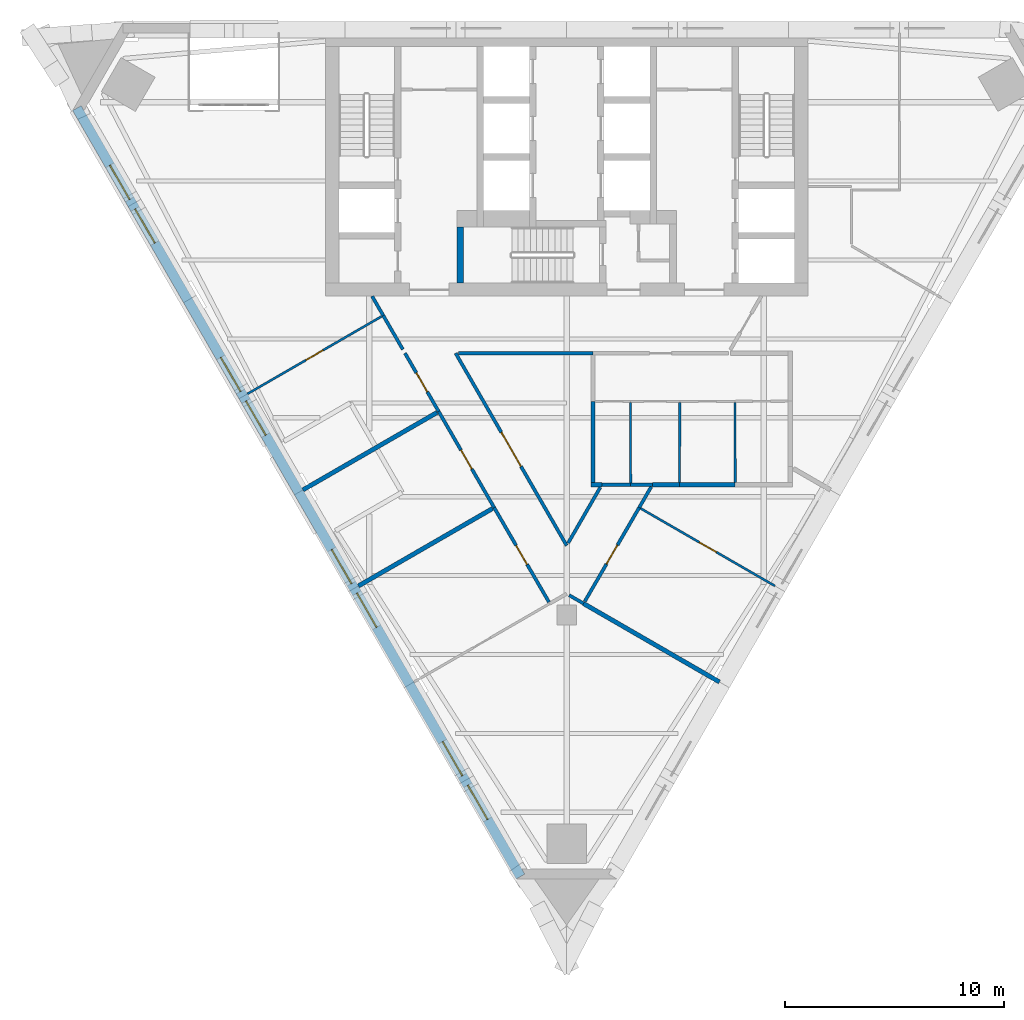
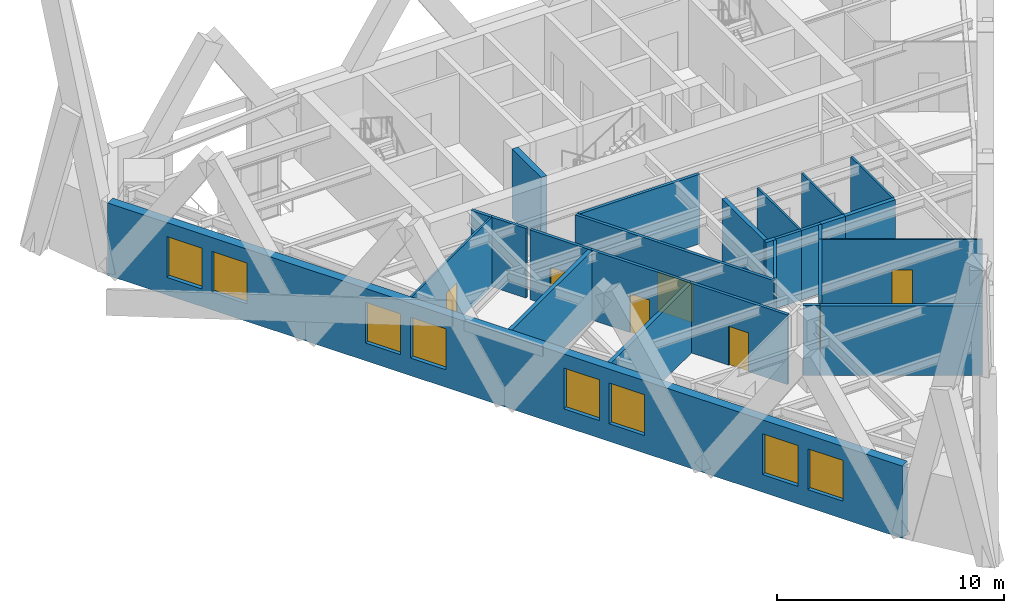
# One storey, part 4 of 9: 27 walls, 8 windows, 7 doors, 15 openings.
"""IFC4 building model written with IfcOpenShell, lengths in metres."""

import ifcopenshell
import ifcopenshell.guid

model = None  # the IFC model being written
_history = None  # IfcOwnerHistory: only IFC2X3 demands one
_inside = {}  # id of a spatial element -> (the spatial element, [elements in it])
_under = {}  # id of a project, library or spatial element -> (it, [spatial elements below it])
_declared = {}  # id of a project -> (the project, [libraries it declares])
_typed = {}  # id of a type object -> (the type object, [elements of that type])
_made_of = {}  # id of a material, layer set ... -> (it, [elements and type objects made of it])


def new_model(schema):
    """Start an empty IFC model of exactly this schema.

    Asked for "IFC4X3", IfcOpenShell would pick the latest addendum, in which some entities
    have other attributes; the version numbers below select the first issue.
    IFC2X3 requires an IfcOwnerHistory on every rooted entity: one is made here for all.
    """
    global model, _history
    if schema == "IFC4X3":
        model = ifcopenshell.file(schema_version=(4, 3, 0, 0))
    else:
        model = ifcopenshell.file(schema=schema)
    _inside.clear()
    _under.clear()
    _declared.clear()
    _typed.clear()
    _made_of.clear()
    _history = None
    if model.schema == "IFC2X3":
        org = make("IfcOrganization", Name="unknown")
        user = make(
            "IfcPersonAndOrganization",
            ThePerson=make("IfcPerson", FamilyName="unknown"),
            TheOrganization=org,
        )
        app = make(
            "IfcApplication",
            ApplicationDeveloper=org,
            Version="unknown",
            ApplicationFullName="unknown",
            ApplicationIdentifier="unknown",
        )
        _history = make(
            "IfcOwnerHistory",
            OwningUser=user,
            OwningApplication=app,
            ChangeAction="ADDED",
            CreationDate=0,
        )
    return model


def make(cls, **values):
    """One entity of the class cls with the attributes given. An attribute that is None is left unset."""
    return model.create_entity(
        cls, **{name: value for name, value in values.items() if value is not None}
    )


def rooted(cls, **values):
    """An entity with a GlobalId (a new one), such as an element, a storey or a relation."""
    return make(cls, GlobalId=ifcopenshell.guid.new(), OwnerHistory=_history, **values)


def si_unit(unit_type, name, prefix=None):
    """IfcSIUnit, for example si_unit("LENGTHUNIT", "METRE", prefix="MILLI")."""
    return make("IfcSIUnit", UnitType=unit_type, Prefix=prefix, Name=name)


def assignment(units):
    """IfcUnitAssignment: the units of a project."""
    return None if units is None else make("IfcUnitAssignment", Units=units)


def point(xyz):
    """IfcCartesianPoint."""
    return None if xyz is None else make("IfcCartesianPoint", Coordinates=xyz)


def direction(xyz):
    """IfcDirection."""
    return None if xyz is None else make("IfcDirection", DirectionRatios=xyz)


def frame(location, z_axis=None, x_axis=None):
    """IfcAxis2Placement3D, a coordinate frame: its origin and axes. An axis left out is left unset."""
    return make(
        "IfcAxis2Placement3D",
        Location=point(location),
        Axis=direction(z_axis),
        RefDirection=direction(x_axis),
    )


def frame_2d(location, x_axis=None):
    """IfcAxis2Placement2D, a coordinate frame in the plane: its origin and x axis."""
    return make(
        "IfcAxis2Placement2D", Location=point(location), RefDirection=direction(x_axis)
    )


def origin():
    """The frame at (0, 0, 0) with its axes left unset."""
    return frame((0.0, 0.0, 0.0))


def place(relative_to, where):
    """IfcLocalPlacement: puts the frame where relative to a parent placement (None: the world)."""
    return make(
        "IfcLocalPlacement", PlacementRelTo=relative_to, RelativePlacement=where
    )


def context(
    kind, dimensions, precision=None, world=None, true_north=None, identifier=None
):
    """IfcGeometricRepresentationContext, for example the 3D "Model" context."""
    return make(
        "IfcGeometricRepresentationContext",
        ContextIdentifier=identifier,
        ContextType=kind,
        CoordinateSpaceDimension=dimensions,
        Precision=precision,
        WorldCoordinateSystem=world,
        TrueNorth=true_north,
    )


def subcontext(parent, identifier, kind, view, scale=None):
    """IfcGeometricRepresentationSubContext, for example "Body" below "Model"."""
    return make(
        "IfcGeometricRepresentationSubContext",
        ContextIdentifier=identifier,
        ContextType=kind,
        ParentContext=parent,
        TargetScale=scale,
        TargetView=view,
    )


def project(units=None, contexts=None):
    """IfcProject with its units and contexts."""
    return rooted(
        "IfcProject",
        Name="project",
        RepresentationContexts=contexts,
        UnitsInContext=assignment(units),
    )


def spatial(cls, under=None, at=None, **own):
    """A site, building, storey or space (cls), placed at a placement, below another one or the project."""
    s = rooted(cls, ObjectPlacement=at, **own)
    if under is not None:
        _under.setdefault(under.id(), (under, []))[1].append(s)
    return s


def polyline(points):
    """IfcPolyline through the points."""
    return make("IfcPolyline", Points=[point(p) for p in points])


def profile(cls, at=None, kind="AREA", **sizes):
    """A parametric profile (cls). Its sizes go by their IFC names, for example OverallWidth=200.0."""
    return make(cls, ProfileType=kind, Position=at, **sizes)


def rectangle(**sizes):
    """IfcRectangleProfileDef."""
    return profile("IfcRectangleProfileDef", **sizes)


def outline(outer, holes=None, kind="AREA"):
    """IfcArbitraryClosedProfileDef: a profile drawn as a closed curve; with holes, ...WithVoids."""
    if holes is None:
        return make("IfcArbitraryClosedProfileDef", ProfileType=kind, OuterCurve=outer)
    return make(
        "IfcArbitraryProfileDefWithVoids",
        ProfileType=kind,
        OuterCurve=outer,
        InnerCurves=holes,
    )


def extrude(swept, where, along, depth):
    """IfcExtrudedAreaSolid: the profile swept, set in the frame where, extruded along a direction by depth."""
    return make(
        "IfcExtrudedAreaSolid",
        SweptArea=swept,
        Position=where,
        ExtrudedDirection=direction(along),
        Depth=depth,
    )


def shape(context_of_items, identifier, shape_type, items):
    """IfcShapeRepresentation: the items that make up one representation, for example the "Body"."""
    return make(
        "IfcShapeRepresentation",
        ContextOfItems=context_of_items,
        RepresentationIdentifier=identifier,
        RepresentationType=shape_type,
        Items=items,
    )


def material(Name=None, Category=None):
    """IfcMaterial."""
    return make("IfcMaterial", Name=Name, Category=Category)


def layer(
    of_material, thickness, ventilated=None, Name=None, Category=None, Priority=None
):
    """IfcMaterialLayer: one layer of a wall or slab, of a material (None: an air gap)."""
    return make(
        "IfcMaterialLayer",
        Material=of_material,
        LayerThickness=thickness,
        IsVentilated=ventilated,
        Name=Name,
        Category=Category,
        Priority=Priority,
    )


def layer_set(layers, Name=None):
    """IfcMaterialLayerSet."""
    return make("IfcMaterialLayerSet", MaterialLayers=layers, LayerSetName=Name)


def made_of(thing, what):
    """Note that an element or type object is made of a material, layer set ...; save() writes the relation."""
    if what is not None:
        _made_of.setdefault(what.id(), (what, []))[1].append(thing)
    return thing


def type_object(cls, material=None, **own):
    """A type object (cls), such as IfcWallType, which elements share."""
    return made_of(rooted(cls, **own), material)


def element(
    cls,
    number,
    at=None,
    inside=None,
    cuts=None,
    type_object=None,
    material=None,
    context=None,
    identifier="Body",
    shape_type=None,
    held_by="IfcProductDefinitionShape",
    body=None,
    shapes=None,
    **own,
):
    """One element of the class cls, such as IfcWall. Its Tag is "e" and its number.

    at: its placement. inside: the storey or other place that contains it. cuts: it is an
    opening in that element (IfcRelVoidsElement). A single representation is given by context,
    identifier, shape_type and body (its items); several are given by shapes. held_by: the class
    of the entity that holds the representations. save() writes the other relations.
    """
    e = rooted(cls, Tag="e%d" % number, ObjectPlacement=at, **own)
    if body is not None:
        shapes = [shape(context, identifier, shape_type, body)]
    if shapes is not None:
        e.Representation = make(held_by, Representations=shapes)
    if inside is not None:
        _inside.setdefault(inside.id(), (inside, []))[1].append(e)
    if cuts is not None:
        rooted(
            "IfcRelVoidsElement", RelatingBuildingElement=cuts, RelatedOpeningElement=e
        )
    if type_object is not None:
        _typed.setdefault(type_object.id(), (type_object, []))[1].append(e)
    return made_of(e, material)


def fill(opening, filler):
    """IfcRelFillsElement: the door or window that sits in an opening."""
    return rooted(
        "IfcRelFillsElement",
        RelatingOpeningElement=opening,
        RelatedBuildingElement=filler,
    )


def aggregate(whole, parts):
    """IfcRelAggregates: a whole, such as a stair, and the parts it consists of."""
    return rooted("IfcRelAggregates", RelatingObject=whole, RelatedObjects=parts)


def save(model, path):
    """Write the relations noted so far, then the file.

    IfcRelAggregates (storeys below a building ...), IfcRelContainedInSpatialStructure (elements
    in a storey), IfcRelDefinesByType, IfcRelAssociatesMaterial and IfcRelDeclares: one each for
    every whole, place, type object, material and project.
    """
    for whole, parts in _under.values():
        aggregate(whole, parts)
    for where, things in _inside.values():
        rooted(
            "IfcRelContainedInSpatialStructure",
            RelatedElements=things,
            RelatingStructure=where,
        )
    for kind, things in _typed.values():
        rooted("IfcRelDefinesByType", RelatedObjects=things, RelatingType=kind)
    for what, things in _made_of.values():
        rooted("IfcRelAssociatesMaterial", RelatedObjects=things, RelatingMaterial=what)
    for by, libraries in _declared.values():
        rooted("IfcRelDeclares", RelatingContext=by, RelatedDefinitions=libraries)
    model.write(path)


model = new_model("IFC4")

# Units and contexts
model_context = context("Model", 3, precision=1e-05, world=origin(), true_north=direction((0.0, 1.0)))
body_context = subcontext(model_context, "Body", "Model", "MODEL_VIEW")
ifc_project = project(units=[si_unit("LENGTHUNIT", "METRE"), si_unit("AREAUNIT", "SQUARE_METRE"), si_unit("VOLUMEUNIT", "CUBIC_METRE"), si_unit("PLANEANGLEUNIT", "RADIAN"), si_unit("MASSUNIT", "GRAM", prefix="KILO")], contexts=[model_context])

# Site, building, storey
site_placement = place(None, origin())
site = spatial("IfcSite", under=ifc_project, at=site_placement, CompositionType="ELEMENT")
building_placement = place(site_placement, origin())
building = spatial("IfcBuilding", under=site, at=building_placement, Name="Aloe Facet Convention Tower", CompositionType="ELEMENT")
storey_placement = place(building_placement, frame((0.0, 0.0, 144.199951171875)))
storey = spatial("IfcBuildingStorey", under=building, at=storey_placement, Name="L36", CompositionType="ELEMENT", Elevation=144.199951171875)

# Wall
ifc_material_1 = material(Name="Concrete C60/75", Category="concrete")
ifc_layer_1 = layer(ifc_material_1, 0.300048828125)
ifc_layer_set_1 = layer_set([ifc_layer_1], Name="CR-W-RC300-C6075")
wall_type_1 = type_object("IfcWallType", Name="CR-W-RC300-C6075", PredefinedType="SOLIDWALL", material=ifc_layer_set_1)
wall_1_placement = place(storey_placement, frame((75.14990234375, 125.699951171875, 0.0), z_axis=(0.0, 0.0, 1.0), x_axis=(0.0, -1.0, 0.0)))
element("IfcWall", 1, at=wall_1_placement, inside=storey, type_object=wall_type_1, Name="Core wall L36-009", PredefinedType="SOLIDWALL", context=body_context, shape_type="SweptSolid", body=[
    extrude(rectangle(XDim=2.550048828125, YDim=0.300048828125, at=frame_2d((1.27490234375, 0.0))), origin(), (0.0, 0.0, 1.0), 3.75),
])

# Wall, openings, windows
ifc_material_2 = material(Name="Precast concrete C40/50", Category="concrete")
ifc_layer_2 = layer(ifc_material_2, 0.449951171875)
ifc_layer_set_2 = layer_set([ifc_layer_2], Name="EV-WALL-STONE")
wall_type_2 = type_object("IfcWallType", Name="EV-WALL-STONE", PredefinedType="SOLIDWALL", material=ifc_layer_set_2)
wall_2_placement = place(storey_placement, frame((57.65185546875, 131.128662109375, -0.14990234375), z_axis=(0.0, 0.0, 1.0), x_axis=(0.499997369791, -0.866026922331, 0.0)))
wall_2 = element("IfcWall", 2, at=wall_2_placement, inside=storey, type_object=wall_type_2, Name="EW-L36-W01", PredefinedType="SOLIDWALL", context=body_context, shape_type="SweptSolid", body=[
    extrude(outline(polyline([(40.486083984375, 0.0), (40.486083984375, 3.89990234375), (0.0, 3.89990234375), (0.0, 0.0), (40.486083984375, 0.0)])), frame((0.0, 0.22509765625, 0.0), z_axis=(0.0, -1.0, 0.0), x_axis=(1.0, 0.0, 0.0)), (0.0, 0.0, 1.0), 0.449951171875),
])
opening_1_placement = place(wall_2_placement, frame((3.0107421875, 0.0, 0.949951171875)))
opening_1 = element("IfcOpeningElement", 3, at=opening_1_placement, cuts=wall_2, Name="Opening W-L36-W01", PredefinedType="OPENING", context=body_context, shape_type="SweptSolid", body=[
    extrude(rectangle(XDim=1.800048828125, YDim=2.199951171875, at=frame_2d((0.89990234375, 1.10009765625))), frame((0.0, 0.23486328125, 0.0), z_axis=(0.0, -1.0, 0.0), x_axis=(1.0, 0.0, 0.0)), (0.0, 0.0, 1.0), 0.469970703125),
])
opening_2_placement = place(wall_2_placement, frame((5.310791015625, 0.0, 0.949951171875)))
opening_2 = element("IfcOpeningElement", 4, at=opening_2_placement, cuts=wall_2, Name="Opening W-L36-W02", PredefinedType="OPENING", context=body_context, shape_type="SweptSolid", body=[
    extrude(rectangle(XDim=1.800048828125, YDim=2.199951171875, at=frame_2d((0.89990234375, 1.10009765625))), frame((0.0, 0.23486328125, 0.0), z_axis=(0.0, -1.0, 0.0), x_axis=(1.0, 0.0, 0.0)), (0.0, 0.0, 1.0), 0.469970703125),
])
opening_3_placement = place(wall_2_placement, frame((13.13232421875, 0.0, 0.949951171875)))
opening_3 = element("IfcOpeningElement", 5, at=opening_3_placement, cuts=wall_2, Name="Opening W-L36-W03", PredefinedType="OPENING", context=body_context, shape_type="SweptSolid", body=[
    extrude(rectangle(XDim=1.800048828125, YDim=2.199951171875, at=frame_2d((0.89990234375, 1.10009765625))), frame((0.0, 0.23486328125, 0.0), z_axis=(0.0, -1.0, 0.0), x_axis=(1.0, 0.0, 0.0)), (0.0, 0.0, 1.0), 0.469970703125),
])
opening_4_placement = place(wall_2_placement, frame((15.432373046875, 0.0, 0.949951171875)))
opening_4 = element("IfcOpeningElement", 6, at=opening_4_placement, cuts=wall_2, Name="Opening W-L36-W04", PredefinedType="OPENING", context=body_context, shape_type="SweptSolid", body=[
    extrude(rectangle(XDim=1.800048828125, YDim=2.199951171875, at=frame_2d((0.89990234375, 1.10009765625))), frame((0.0, 0.23486328125, 0.0), z_axis=(0.0, -1.0, 0.0), x_axis=(1.0, 0.0, 0.0)), (0.0, 0.0, 1.0), 0.469970703125),
])
opening_5_placement = place(wall_2_placement, frame((23.25390625, 0.0, 0.949951171875)))
opening_5 = element("IfcOpeningElement", 7, at=opening_5_placement, cuts=wall_2, Name="Opening W-L36-W05", PredefinedType="OPENING", context=body_context, shape_type="SweptSolid", body=[
    extrude(rectangle(XDim=1.800048828125, YDim=2.199951171875, at=frame_2d((0.89990234375, 1.10009765625))), frame((0.0, 0.23486328125, 0.0), z_axis=(0.0, -1.0, 0.0), x_axis=(1.0, 0.0, 0.0)), (0.0, 0.0, 1.0), 0.469970703125),
])
opening_6_placement = place(wall_2_placement, frame((25.553955078125, 0.0, 0.949951171875)))
opening_6 = element("IfcOpeningElement", 8, at=opening_6_placement, cuts=wall_2, Name="Opening W-L36-W06", PredefinedType="OPENING", context=body_context, shape_type="SweptSolid", body=[
    extrude(rectangle(XDim=1.800048828125, YDim=2.199951171875, at=frame_2d((0.89990234375, 1.10009765625))), frame((0.0, 0.23486328125, 0.0), z_axis=(0.0, -1.0, 0.0), x_axis=(1.0, 0.0, 0.0)), (0.0, 0.0, 1.0), 0.469970703125),
])
opening_7_placement = place(wall_2_placement, frame((33.37548828125, 0.0, 0.949951171875)))
opening_7 = element("IfcOpeningElement", 9, at=opening_7_placement, cuts=wall_2, Name="Opening W-L36-W07", PredefinedType="OPENING", context=body_context, shape_type="SweptSolid", body=[
    extrude(rectangle(XDim=1.800048828125, YDim=2.199951171875, at=frame_2d((0.89990234375, 1.10009765625))), frame((0.0, 0.23486328125, 0.0), z_axis=(0.0, -1.0, 0.0), x_axis=(1.0, 0.0, 0.0)), (0.0, 0.0, 1.0), 0.469970703125),
])
opening_8_placement = place(wall_2_placement, frame((35.67529296875, 0.0, 0.949951171875)))
opening_8 = element("IfcOpeningElement", 10, at=opening_8_placement, cuts=wall_2, Name="Opening W-L36-W08", PredefinedType="OPENING", context=body_context, shape_type="SweptSolid", body=[
    extrude(rectangle(XDim=1.800048828125, YDim=2.199951171875, at=frame_2d((0.89990234375, 1.10009765625))), frame((0.0, 0.23486328125, 0.0), z_axis=(0.0, -1.0, 0.0), x_axis=(1.0, 0.0, 0.0)), (0.0, 0.0, 1.0), 0.469970703125),
])
ifc_material_3 = material(Name="Aluminium frame, clear double glazing", Category="aluminium")
window_type = type_object("IfcWindowType", Name="EV-WIN-O18", PartitioningType="SINGLE_PANEL", PredefinedType="WINDOW", material=ifc_material_3)
window_1_placement = place(opening_1_placement, origin())
window_1 = element("IfcWindow", 11, at=window_1_placement, inside=storey, type_object=window_type, Name="W-L36-W01", OverallHeight=2.199951171875, OverallWidth=1.800048828125, PartitioningType="SINGLE_PANEL", PredefinedType="WINDOW", context=body_context, shape_type="SweptSolid", body=[
    extrude(rectangle(XDim=1.800048828125, YDim=2.199951171875, at=frame_2d((0.89990234375, 1.10009765625))), frame((0.0, 0.030029296875, 0.0), z_axis=(0.0, -1.0, 0.0), x_axis=(1.0, 0.0, 0.0)), (0.0, 0.0, 1.0), 0.06005859375),
])
fill(opening_1, window_1)
window_2_placement = place(opening_2_placement, origin())
window_2 = element("IfcWindow", 12, at=window_2_placement, inside=storey, type_object=window_type, Name="W-L36-W02", OverallHeight=2.199951171875, OverallWidth=1.800048828125, PartitioningType="SINGLE_PANEL", PredefinedType="WINDOW", context=body_context, shape_type="SweptSolid", body=[
    extrude(rectangle(XDim=1.800048828125, YDim=2.199951171875, at=frame_2d((0.89990234375, 1.10009765625))), frame((0.0, 0.030029296875, 0.0), z_axis=(0.0, -1.0, 0.0), x_axis=(1.0, 0.0, 0.0)), (0.0, 0.0, 1.0), 0.06005859375),
])
fill(opening_2, window_2)
window_3_placement = place(opening_3_placement, origin())
window_3 = element("IfcWindow", 13, at=window_3_placement, inside=storey, type_object=window_type, Name="W-L36-W03", OverallHeight=2.199951171875, OverallWidth=1.800048828125, PartitioningType="SINGLE_PANEL", PredefinedType="WINDOW", context=body_context, shape_type="SweptSolid", body=[
    extrude(rectangle(XDim=1.800048828125, YDim=2.199951171875, at=frame_2d((0.89990234375, 1.10009765625))), frame((0.0, 0.030029296875, 0.0), z_axis=(0.0, -1.0, 0.0), x_axis=(1.0, 0.0, 0.0)), (0.0, 0.0, 1.0), 0.06005859375),
])
fill(opening_3, window_3)
window_4_placement = place(opening_4_placement, origin())
window_4 = element("IfcWindow", 14, at=window_4_placement, inside=storey, type_object=window_type, Name="W-L36-W04", OverallHeight=2.199951171875, OverallWidth=1.800048828125, PartitioningType="SINGLE_PANEL", PredefinedType="WINDOW", context=body_context, shape_type="SweptSolid", body=[
    extrude(rectangle(XDim=1.800048828125, YDim=2.199951171875, at=frame_2d((0.89990234375, 1.10009765625))), frame((0.0, 0.030029296875, 0.0), z_axis=(0.0, -1.0, 0.0), x_axis=(1.0, 0.0, 0.0)), (0.0, 0.0, 1.0), 0.06005859375),
])
fill(opening_4, window_4)
window_5_placement = place(opening_5_placement, origin())
window_5 = element("IfcWindow", 15, at=window_5_placement, inside=storey, type_object=window_type, Name="W-L36-W05", OverallHeight=2.199951171875, OverallWidth=1.800048828125, PartitioningType="SINGLE_PANEL", PredefinedType="WINDOW", context=body_context, shape_type="SweptSolid", body=[
    extrude(rectangle(XDim=1.800048828125, YDim=2.199951171875, at=frame_2d((0.89990234375, 1.10009765625))), frame((0.0, 0.030029296875, 0.0), z_axis=(0.0, -1.0, 0.0), x_axis=(1.0, 0.0, 0.0)), (0.0, 0.0, 1.0), 0.06005859375),
])
fill(opening_5, window_5)
window_6_placement = place(opening_6_placement, origin())
window_6 = element("IfcWindow", 16, at=window_6_placement, inside=storey, type_object=window_type, Name="W-L36-W06", OverallHeight=2.199951171875, OverallWidth=1.800048828125, PartitioningType="SINGLE_PANEL", PredefinedType="WINDOW", context=body_context, shape_type="SweptSolid", body=[
    extrude(rectangle(XDim=1.800048828125, YDim=2.199951171875, at=frame_2d((0.89990234375, 1.10009765625))), frame((0.0, 0.030029296875, 0.0), z_axis=(0.0, -1.0, 0.0), x_axis=(1.0, 0.0, 0.0)), (0.0, 0.0, 1.0), 0.06005859375),
])
fill(opening_6, window_6)
window_7_placement = place(opening_7_placement, origin())
window_7 = element("IfcWindow", 17, at=window_7_placement, inside=storey, type_object=window_type, Name="W-L36-W07", OverallHeight=2.199951171875, OverallWidth=1.800048828125, PartitioningType="SINGLE_PANEL", PredefinedType="WINDOW", context=body_context, shape_type="SweptSolid", body=[
    extrude(rectangle(XDim=1.800048828125, YDim=2.199951171875, at=frame_2d((0.89990234375, 1.10009765625))), frame((0.0, 0.030029296875, 0.0), z_axis=(0.0, -1.0, 0.0), x_axis=(1.0, 0.0, 0.0)), (0.0, 0.0, 1.0), 0.06005859375),
])
fill(opening_7, window_7)
window_8_placement = place(opening_8_placement, origin())
window_8 = element("IfcWindow", 18, at=window_8_placement, inside=storey, type_object=window_type, Name="W-L36-W08", OverallHeight=2.199951171875, OverallWidth=1.800048828125, PartitioningType="SINGLE_PANEL", PredefinedType="WINDOW", context=body_context, shape_type="SweptSolid", body=[
    extrude(rectangle(XDim=1.800048828125, YDim=2.199951171875, at=frame_2d((0.89990234375, 1.10009765625))), frame((0.0, 0.030029296875, 0.0), z_axis=(0.0, -1.0, 0.0), x_axis=(1.0, 0.0, 0.0)), (0.0, 0.0, 1.0), 0.06005859375),
])
fill(opening_8, window_8)

# Wall, opening, door
ifc_material_4 = material(Name="Gypsum board partition on steel studs", Category="steel")
ifc_layer_3 = layer(ifc_material_4, 0.14990234375)
ifc_layer_set_3 = layer_set([ifc_layer_3], Name="IN-W-CORR")
wall_type_3 = type_object("IfcWallType", Name="IN-W-CORR", PredefinedType="PARTITIONING", material=ifc_layer_set_3)
wall_3_placement = place(storey_placement, frame((76.690673828125, 112.902587890625, 0.0), z_axis=(0.0, 0.0, 1.0), x_axis=(0.501707830428, -0.8650371396, 0.0)))
wall_3 = element("IfcWall", 19, at=wall_3_placement, inside=storey, type_object=wall_type_3, Name="Partition L36-W003", PredefinedType="PARTITIONING", context=body_context, shape_type="SweptSolid", body=[
    extrude(rectangle(XDim=4.98583984375, YDim=0.14990234375, at=frame_2d((2.492919921875, 0.0))), origin(), (0.0, 0.0, 1.0), 3.75),
])
opening_9_placement = place(wall_3_placement, frame((1.992919921875, 0.0, 0.0)))
opening_9 = element("IfcOpeningElement", 20, at=opening_9_placement, cuts=wall_3, Name="Opening L36-010", PredefinedType="OPENING", context=body_context, shape_type="SweptSolid", body=[
    extrude(rectangle(XDim=1.0, YDim=2.10009765625, at=frame_2d((0.5, 1.050048828125))), frame((0.0, 0.0849609375, 0.0), z_axis=(0.0, -1.0, 0.0), x_axis=(1.0, 0.0, 0.0)), (0.0, 0.0, 1.0), 0.169921875),
])
ifc_material_5 = material(Name="Timber door FD30S with vision panel", Category="wood")
door_type_1 = type_object("IfcDoorType", Name="IN-OFF-D-ENTRY", OperationType="SINGLE_SWING_LEFT", PredefinedType="DOOR", material=ifc_material_5)
door_1_placement = place(opening_9_placement, origin())
door_1 = element("IfcDoor", 21, at=door_1_placement, inside=storey, type_object=door_type_1, Name="Door L36-010", OperationType="SINGLE_SWING_LEFT", OverallHeight=2.10009765625, OverallWidth=1.0, PredefinedType="DOOR", context=body_context, shape_type="SweptSolid", body=[
    extrude(rectangle(XDim=1.0, YDim=2.10009765625, at=frame_2d((0.5, 1.050048828125))), frame((0.0, 0.02490234375, 0.0), z_axis=(0.0, -1.0, 0.0), x_axis=(1.0, 0.0, 0.0)), (0.0, 0.0, 1.0), 0.050048828125),
])
fill(opening_9, door_1)

# Wall
wall_4_placement = place(storey_placement, frame((80.112548828125, 108.904541015625, 0.0), z_axis=(0.0, 0.0, 1.0), x_axis=(0.865939322839, -0.50014906694, 0.0)))
element("IfcWall", 22, at=wall_4_placement, inside=storey, type_object=wall_type_3, Name="Partition L36-W005", PredefinedType="PARTITIONING", context=body_context, shape_type="SweptSolid", body=[
    extrude(rectangle(XDim=0.759521484375, YDim=0.14990234375, at=frame_2d((0.3798828125, 0.0))), origin(), (0.0, 0.0, 1.0), 3.75),
])

# Wall, opening, door
wall_5_placement = place(storey_placement, frame((74.93115234375, 119.949951171875, 0.0), z_axis=(0.0, 0.0, 1.0), x_axis=(0.499998319705, -0.866026373901, 0.0)))
wall_5 = element("IfcWall", 23, at=wall_5_placement, inside=storey, type_object=wall_type_3, Name="Partition L36-W008", PredefinedType="PARTITIONING", context=body_context, shape_type="SweptSolid", body=[
    extrude(rectangle(XDim=10.1376953125, YDim=0.14990234375, at=frame_2d((5.06884765625, 0.0))), origin(), (0.0, 0.0, 1.0), 3.75),
])
opening_10_placement = place(wall_5_placement, frame((4.1689453125, 0.0, 0.0)))
opening_10 = element("IfcOpeningElement", 24, at=opening_10_placement, cuts=wall_5, Name="Opening L36-015", PredefinedType="OPENING", context=body_context, shape_type="SweptSolid", body=[
    extrude(rectangle(XDim=1.800048828125, YDim=2.10009765625, at=frame_2d((0.89990234375, 1.050048828125))), frame((0.0, 0.0849609375, 0.0), z_axis=(0.0, -1.0, 0.0), x_axis=(1.0, 0.0, 0.0)), (0.0, 0.0, 1.0), 0.169921875),
])
ifc_material_6 = material(Name="Glazed timber door pair FD30S", Category="wood")
door_type_2 = type_object("IfcDoorType", Name="IN-OFF-D-SUITE", OperationType="DOUBLE_DOOR_SINGLE_SWING", PredefinedType="DOOR", material=ifc_material_6)
door_2_placement = place(opening_10_placement, origin())
door_2 = element("IfcDoor", 25, at=door_2_placement, inside=storey, type_object=door_type_2, Name="Door L36-015", OperationType="SINGLE_SWING_LEFT", OverallHeight=2.10009765625, OverallWidth=1.800048828125, PredefinedType="DOOR", context=body_context, shape_type="SweptSolid", body=[
    extrude(rectangle(XDim=1.800048828125, YDim=2.10009765625, at=frame_2d((0.89990234375, 1.050048828125))), frame((0.0, 0.02490234375, 0.0), z_axis=(0.0, -1.0, 0.0), x_axis=(1.0, 0.0, 0.0)), (0.0, 0.0, 1.0), 0.050048828125),
])
fill(opening_10, door_2)

wall_6_placement = place(storey_placement, frame((74.16015625, 117.28515625, 0.0), z_axis=(0.0, 0.0, 1.0), x_axis=(0.500035650373, -0.866004820053, 0.0)))
wall_6 = element("IfcWall", 26, at=wall_6_placement, inside=storey, type_object=wall_type_3, Name="Partition L36-W009", PredefinedType="PARTITIONING", context=body_context, shape_type="SweptSolid", body=[
    extrude(rectangle(XDim=5.060791015625, YDim=0.14990234375, at=frame_2d((2.5302734375, 0.0))), origin(), (0.0, 0.0, 1.0), 3.75),
])
opening_11_placement = place(wall_6_placement, frame((2.0302734375, 0.0, 0.0)))
opening_11 = element("IfcOpeningElement", 27, at=opening_11_placement, cuts=wall_6, Name="Opening L36-009", PredefinedType="OPENING", context=body_context, shape_type="SweptSolid", body=[
    extrude(rectangle(XDim=1.0, YDim=2.10009765625, at=frame_2d((0.5, 1.050048828125))), frame((0.0, 0.0849609375, 0.0), z_axis=(0.0, -1.0, 0.0), x_axis=(1.0, 0.0, 0.0)), (0.0, 0.0, 1.0), 0.169921875),
])
door_3_placement = place(opening_11_placement, origin())
door_3 = element("IfcDoor", 28, at=door_3_placement, inside=storey, type_object=door_type_1, Name="Door L36-009", OperationType="SINGLE_SWING_LEFT", OverallHeight=2.10009765625, OverallWidth=1.0, PredefinedType="DOOR", context=body_context, shape_type="SweptSolid", body=[
    extrude(rectangle(XDim=1.0, YDim=2.10009765625, at=frame_2d((0.5, 1.050048828125))), frame((0.0, 0.02490234375, 0.0), z_axis=(0.0, -1.0, 0.0), x_axis=(1.0, 0.0, 0.0)), (0.0, 0.0, 1.0), 0.050048828125),
])
fill(opening_11, door_3)

wall_7_placement = place(storey_placement, frame((80.825439453125, 108.619873046875, 0.0), z_axis=(0.0, 0.0, 1.0), x_axis=(0.501704805906, 0.865038893768, 0.0)))
wall_7 = element("IfcWall", 29, at=wall_7_placement, inside=storey, type_object=wall_type_3, Name="Partition L36-W010", PredefinedType="PARTITIONING", context=body_context, shape_type="SweptSolid", body=[
    extrude(rectangle(XDim=4.950927734375, YDim=0.14990234375, at=frame_2d((2.4755859375, 0.0))), origin(), (0.0, 0.0, 1.0), 3.75),
])
opening_12_placement = place(wall_7_placement, frame((1.975341796875, 0.0, 0.0)))
opening_12 = element("IfcOpeningElement", 30, at=opening_12_placement, cuts=wall_7, Name="Opening L36-011", PredefinedType="OPENING", context=body_context, shape_type="SweptSolid", body=[
    extrude(rectangle(XDim=1.0, YDim=2.10009765625, at=frame_2d((0.5, 1.050048828125))), frame((0.0, 0.0849609375, 0.0), z_axis=(0.0, -1.0, 0.0), x_axis=(1.0, 0.0, 0.0)), (0.0, 0.0, 1.0), 0.169921875),
])
door_4_placement = place(opening_12_placement, origin())
door_4 = element("IfcDoor", 31, at=door_4_placement, inside=storey, type_object=door_type_1, Name="Door L36-011", OperationType="SINGLE_SWING_LEFT", OverallHeight=2.10009765625, OverallWidth=1.0, PredefinedType="DOOR", context=body_context, shape_type="SweptSolid", body=[
    extrude(rectangle(XDim=1.0, YDim=2.10009765625, at=frame_2d((0.5, 1.050048828125))), frame((0.0, 0.02490234375, 0.0), z_axis=(0.0, -1.0, 0.0), x_axis=(1.0, 0.0, 0.0)), (0.0, 0.0, 1.0), 0.050048828125),
])
fill(opening_12, door_4)

# Walls
wall_8_placement = place(storey_placement, frame((80.06494140625, 111.282958984375, 0.0), z_axis=(0.0, 0.0, 1.0), x_axis=(0.499962090823, 0.866047289552, 0.0)))
element("IfcWall", 32, at=wall_8_placement, inside=storey, type_object=wall_type_3, Name="Partition L36-W014", PredefinedType="PARTITIONING", context=body_context, shape_type="SweptSolid", body=[
    extrude(rectangle(XDim=2.939697265625, YDim=0.14990234375, at=frame_2d((1.4697265625, 0.0))), origin(), (0.0, 0.0, 1.0), 3.75),
])
wall_9_placement = place(storey_placement, frame((81.604736328125, 113.949951171875, 0.0), z_axis=(0.0, 0.0, 1.0), x_axis=(1.0, 0.0, 0.0)))
element("IfcWall", 33, at=wall_9_placement, inside=storey, type_object=wall_type_3, Name="Partition L36-W015", PredefinedType="PARTITIONING", context=body_context, shape_type="SweptSolid", body=[
    extrude(rectangle(XDim=1.315185546875, YDim=0.14990234375, at=frame_2d((0.65771484375, 0.0))), origin(), (0.0, 0.0, 1.0), 3.75),
])
wall_10_placement = place(storey_placement, frame((82.919921875, 113.949951171875, 0.0), z_axis=(0.0, 0.0, 1.0), x_axis=(1.0, 0.0, 0.0)))
element("IfcWall", 34, at=wall_10_placement, inside=storey, type_object=wall_type_3, Name="Partition L36-W016", PredefinedType="PARTITIONING", context=body_context, shape_type="SweptSolid", body=[
    extrude(rectangle(XDim=0.994140625, YDim=0.14990234375, at=frame_2d((0.4970703125, 0.0))), origin(), (0.0, 0.0, 1.0), 3.75),
])
wall_11_placement = place(storey_placement, frame((83.309326171875, 112.902587890625, 0.0), z_axis=(0.0, 0.0, 1.0), x_axis=(0.500055614084, 0.865993292597, 0.0)))
element("IfcWall", 35, at=wall_11_placement, inside=storey, type_object=wall_type_3, Name="Partition L36-W017", PredefinedType="PARTITIONING", context=body_context, shape_type="SweptSolid", body=[
    extrude(rectangle(XDim=1.099365234375, YDim=0.14990234375, at=frame_2d((0.5498046875, 0.0))), origin(), (0.0, 0.0, 1.0), 3.75),
])

# Wall, opening, door
wall_12_placement = place(storey_placement, frame((72.621826171875, 119.949951171875, 0.0), z_axis=(0.0, 0.0, 1.0), x_axis=(0.4999536902, -0.866052139109, 0.0)))
wall_12 = element("IfcWall", 36, at=wall_12_placement, inside=storey, type_object=wall_type_3, Name="Partition L36-W023", PredefinedType="PARTITIONING", context=body_context, shape_type="SweptSolid", body=[
    extrude(rectangle(XDim=3.076904296875, YDim=0.14990234375, at=frame_2d((1.53857421875, 0.0))), origin(), (0.0, 0.0, 1.0), 3.75),
])
opening_13_placement = place(wall_12_placement, frame((1.03857421875, 0.0, 0.0)))
opening_13 = element("IfcOpeningElement", 37, at=opening_13_placement, cuts=wall_12, Name="Opening L36-008", PredefinedType="OPENING", context=body_context, shape_type="SweptSolid", body=[
    extrude(rectangle(XDim=1.0, YDim=2.10009765625, at=frame_2d((0.5, 1.050048828125))), frame((0.0, 0.0849609375, 0.0), z_axis=(0.0, -1.0, 0.0), x_axis=(1.0, 0.0, 0.0)), (0.0, 0.0, 1.0), 0.169921875),
])
door_5_placement = place(opening_13_placement, origin())
door_5 = element("IfcDoor", 38, at=door_5_placement, inside=storey, type_object=door_type_1, Name="Door L36-008", OperationType="SINGLE_SWING_LEFT", OverallHeight=2.10009765625, OverallWidth=1.0, PredefinedType="DOOR", context=body_context, shape_type="SweptSolid", body=[
    extrude(rectangle(XDim=1.0, YDim=2.10009765625, at=frame_2d((0.5, 1.050048828125))), frame((0.0, 0.02490234375, 0.0), z_axis=(0.0, -1.0, 0.0), x_axis=(1.0, 0.0, 0.0)), (0.0, 0.0, 1.0), 0.050048828125),
])
fill(opening_13, door_5)

# Walls
wall_13_placement = place(storey_placement, frame((75.06103515625, 119.949951171875, 0.0), z_axis=(0.0, 0.0, 1.0), x_axis=(1.0, 0.0, 0.0)))
element("IfcWall", 39, at=wall_13_placement, inside=storey, type_object=wall_type_3, Name="Partition L36-W034", PredefinedType="PARTITIONING", context=body_context, shape_type="SweptSolid", body=[
    extrude(rectangle(XDim=6.138916015625, YDim=0.14990234375, at=frame_2d((3.0693359375, 0.0))), origin(), (0.0, 0.0, 1.0), 3.75),
])
wall_14_placement = place(storey_placement, frame((71.6298828125, 121.66796875, 0.0), z_axis=(0.0, 0.0, 1.0), x_axis=(0.499982180423, -0.866035691677, 0.0)))
element("IfcWall", 40, at=wall_14_placement, inside=storey, type_object=wall_type_3, Name="Partition L36-W038", PredefinedType="PARTITIONING", context=body_context, shape_type="SweptSolid", body=[
    extrude(rectangle(XDim=1.7900390625, YDim=0.14990234375, at=frame_2d((0.89501953125, 0.0))), origin(), (0.0, 0.0, 1.0), 3.75),
])
wall_15_placement = place(storey_placement, frame((71.12060546875, 122.550048828125, 0.0), z_axis=(0.0, 0.0, 1.0), x_axis=(0.500006018292, -0.866021929094, 0.0)))
element("IfcWall", 41, at=wall_15_placement, inside=storey, type_object=wall_type_3, Name="Partition L36-W039", PredefinedType="PARTITIONING", context=body_context, shape_type="SweptSolid", body=[
    extrude(rectangle(XDim=1.0185546875, YDim=0.14990234375, at=frame_2d((0.50927734375, 0.0))), origin(), (0.0, 0.0, 1.0), 3.75),
])

# Wall, opening, door
ifc_material_7 = material(Name="Gypsum board partition on steel studs", Category="steel")
ifc_layer_4 = layer(ifc_material_7, 0.10009765625)
ifc_layer_set_4 = layer_set([ifc_layer_4], Name="IN-W-PART")
wall_type_4 = type_object("IfcWallType", Name="IN-W-PART", PredefinedType="PARTITIONING", material=ifc_layer_set_4)
wall_16_placement = place(storey_placement, frame((83.374267578125, 112.864990234375, 0.0), z_axis=(0.0, 0.0, 1.0), x_axis=(0.866021813296, -0.500006218857, 0.0)))
wall_16 = element("IfcWall", 42, at=wall_16_placement, inside=storey, type_object=wall_type_4, Name="Partition L36-W007", PredefinedType="PARTITIONING", context=body_context, shape_type="SweptSolid", body=[
    extrude(rectangle(XDim=7.0751953125, YDim=0.10009765625, at=frame_2d((3.53759765625, 0.0))), origin(), (0.0, 0.0, 1.0), 3.75),
])
opening_14_placement = place(wall_16_placement, frame((3.08740234375, 0.0, 0.0)))
opening_14 = element("IfcOpeningElement", 43, at=opening_14_placement, cuts=wall_16, Name="Opening L36-012", PredefinedType="OPENING", context=body_context, shape_type="SweptSolid", body=[
    extrude(rectangle(XDim=0.89990234375, YDim=2.10009765625, at=frame_2d((0.449951171875, 1.050048828125))), frame((0.0, 0.06005859375, 0.0), z_axis=(0.0, -1.0, 0.0), x_axis=(1.0, 0.0, 0.0)), (0.0, 0.0, 1.0), 0.1201171875),
])
ifc_material_8 = material(Name="Timber door", Category="wood")
door_type_3 = type_object("IfcDoorType", Name="IN-OFF-D-ROOM", OperationType="SINGLE_SWING_LEFT", PredefinedType="DOOR", material=ifc_material_8)
door_6_placement = place(opening_14_placement, origin())
door_6 = element("IfcDoor", 44, at=door_6_placement, inside=storey, type_object=door_type_3, Name="Door L36-012", OperationType="SINGLE_SWING_LEFT", OverallHeight=2.10009765625, OverallWidth=0.89990234375, PredefinedType="DOOR", context=body_context, shape_type="SweptSolid", body=[
    extrude(rectangle(XDim=0.89990234375, YDim=2.10009765625, at=frame_2d((0.449951171875, 1.050048828125))), frame((0.0, 0.02490234375, 0.0), z_axis=(0.0, -1.0, 0.0), x_axis=(1.0, 0.0, 0.0)), (0.0, 0.0, 1.0), 0.050048828125),
])
fill(opening_14, door_6)

# Walls
wall_17_placement = place(storey_placement, frame((82.919921875, 114.02490234375, 0.0), z_axis=(0.0, 0.0, 1.0), x_axis=(-0.002657268237, 0.999996469457, 0.0)))
element("IfcWall", 45, at=wall_17_placement, inside=storey, type_object=wall_type_4, Name="Partition L36-W025", PredefinedType="PARTITIONING", context=body_context, shape_type="SweptSolid", body=[
    extrude(rectangle(XDim=3.675048828125, YDim=0.10009765625, at=frame_2d((1.83740234375, 0.0))), origin(), (0.0, 0.0, 1.0), 3.75),
])
for number, where, z_axis, x_axis, name in (
    (46, (85.150146484375, 114.050048828125, 0.0), (0.0, 0.0, 1.0), (0.002675575707, 0.999996420641, 0.0), "Partition L36-W027"),
    (47, (87.689697265625, 114.050048828125, 0.0), (0.0, 0.0, 1.0), (-0.002608686776, 0.999996597371, 0.0), "Partition L36-W029"),
):
    element("IfcWall", number, at=place(storey_placement, frame(where, z_axis=z_axis, x_axis=x_axis)), inside=storey, type_object=wall_type_4, Name=name, PredefinedType="PARTITIONING", context=body_context, shape_type="SweptSolid", body=[
        extrude(rectangle(XDim=3.64990234375, YDim=0.10009765625, at=frame_2d((1.824951171875, 0.0))), origin(), (0.0, 0.0, 1.0), 3.75),
    ])

# Wall, opening, door
wall_18_placement = place(storey_placement, frame((65.437744140625, 118.093017578125, 0.0), z_axis=(0.0, 0.0, 1.0), x_axis=(0.866025031136, 0.500000645445, 0.0)))
wall_18 = element("IfcWall", 48, at=wall_18_placement, inside=storey, type_object=wall_type_4, Name="Partition L36-W033", PredefinedType="PARTITIONING", context=body_context, shape_type="SweptSolid", body=[
    extrude(rectangle(XDim=7.06494140625, YDim=0.10009765625, at=frame_2d((3.532470703125, 0.0))), origin(), (0.0, 0.0, 1.0), 3.75),
])
opening_15_placement = place(wall_18_placement, frame((3.08251953125, 0.0, 0.0)))
opening_15 = element("IfcOpeningElement", 49, at=opening_15_placement, cuts=wall_18, Name="Opening L36-007", PredefinedType="OPENING", context=body_context, shape_type="SweptSolid", body=[
    extrude(rectangle(XDim=0.89990234375, YDim=2.10009765625, at=frame_2d((0.449951171875, 1.050048828125))), frame((0.0, 0.06005859375, 0.0), z_axis=(0.0, -1.0, 0.0), x_axis=(1.0, 0.0, 0.0)), (0.0, 0.0, 1.0), 0.1201171875),
])
door_7_placement = place(opening_15_placement, origin())
door_7 = element("IfcDoor", 50, at=door_7_placement, inside=storey, type_object=door_type_3, Name="Door L36-007", OperationType="SINGLE_SWING_LEFT", OverallHeight=2.10009765625, OverallWidth=0.89990234375, PredefinedType="DOOR", context=body_context, shape_type="SweptSolid", body=[
    extrude(rectangle(XDim=0.89990234375, YDim=2.10009765625, at=frame_2d((0.449951171875, 1.050048828125))), frame((0.0, 0.02490234375, 0.0), z_axis=(0.0, -1.0, 0.0), x_axis=(1.0, 0.0, 0.0)), (0.0, 0.0, 1.0), 0.050048828125),
])
fill(opening_15, door_7)

# Walls
ifc_material_9 = material(Name="Gypsum board partition on steel studs", Category="steel")
ifc_layer_5 = layer(ifc_material_9, 0.199951171875)
ifc_layer_set_5 = layer_set([ifc_layer_5], Name="IN-W-PARTY")
wall_type_5 = type_object("IfcWallType", Name="IN-W-PARTY", PredefinedType="PARTITIONING", material=ifc_layer_set_5)
wall_19_placement = place(storey_placement, frame((80.770263671875, 108.524658203125, 0.0), z_axis=(0.0, 0.0, 1.0), x_axis=(0.866033408367, -0.4999861354, 0.0)))
element("IfcWall", 51, at=wall_19_placement, inside=storey, type_object=wall_type_5, Name="Partition L36-W004", PredefinedType="PARTITIONING", context=body_context, shape_type="SweptSolid", body=[
    extrude(rectangle(XDim=7.159912109375, YDim=0.199951171875, at=frame_2d((3.580078125, 0.0))), origin(), (0.0, 0.0, 1.0), 3.75),
])
for number, where, z_axis, x_axis, name in (
    (52, (70.49853515625, 109.327392578125, 0.0), (0.0, 0.0, 1.0), (0.866010067511, 0.500026562264, 0.0), "Partition L36-W006"),
    (53, (67.96826171875, 113.710205078125, 0.0), (0.0, 0.0, 1.0), (0.866025031136, 0.500000645445, 0.0), "Partition L36-W011"),
):
    element("IfcWall", number, at=place(storey_placement, frame(where, z_axis=z_axis, x_axis=x_axis)), inside=storey, type_object=wall_type_5, Name=name, PredefinedType="PARTITIONING", context=body_context, shape_type="SweptSolid", body=[
        extrude(rectangle(XDim=7.06494140625, YDim=0.199951171875, at=frame_2d((3.532470703125, 0.0))), origin(), (0.0, 0.0, 1.0), 3.75),
    ])
wall_20_placement = place(storey_placement, frame((81.10009765625, 113.949951171875, 0.0), z_axis=(0.0, 0.0, 1.0), x_axis=(1.0, 0.0, 0.0)))
element("IfcWall", 54, at=wall_20_placement, inside=storey, type_object=wall_type_5, Name="Partition L36-W013", PredefinedType="PARTITIONING", context=body_context, shape_type="SweptSolid", body=[
    extrude(rectangle(XDim=0.504638671875, YDim=0.199951171875, at=frame_2d((0.25244140625, 0.0))), origin(), (0.0, 0.0, 1.0), 3.75),
])
wall_21_placement = place(storey_placement, frame((83.9140625, 113.949951171875, 0.0), z_axis=(0.0, 0.0, 1.0), x_axis=(1.0, 0.0, 0.0)))
element("IfcWall", 55, at=wall_21_placement, inside=storey, type_object=wall_type_5, Name="Partition L36-W018", PredefinedType="PARTITIONING", context=body_context, shape_type="SweptSolid", body=[
    extrude(rectangle(XDim=1.23583984375, YDim=0.199951171875, at=frame_2d((0.617919921875, 0.0))), origin(), (0.0, 0.0, 1.0), 3.75),
])
wall_22_placement = place(storey_placement, frame((85.14990234375, 113.949951171875, 0.0), z_axis=(0.0, 0.0, 1.0), x_axis=(1.0, 0.0, 0.0)))
element("IfcWall", 56, at=wall_22_placement, inside=storey, type_object=wall_type_5, Name="Partition L36-W019", PredefinedType="PARTITIONING", context=body_context, shape_type="SweptSolid", body=[
    extrude(rectangle(XDim=2.5400390625, YDim=0.199951171875, at=frame_2d((1.27001953125, 0.0))), origin(), (0.0, 0.0, 1.0), 3.75),
])
wall_23_placement = place(storey_placement, frame((81.199951171875, 114.050048828125, 0.0), z_axis=(0.0, 0.0, 1.0), x_axis=(0.0, 1.0, 0.0)))
element("IfcWall", 57, at=wall_23_placement, inside=storey, type_object=wall_type_5, Name="Partition L36-W032", PredefinedType="PARTITIONING", context=body_context, shape_type="SweptSolid", body=[
    extrude(rectangle(XDim=3.699951171875, YDim=0.199951171875, at=frame_2d((1.85009765625, 0.0))), origin(), (0.0, 0.0, 1.0), 3.75),
])

save(model, "model.ifc")
